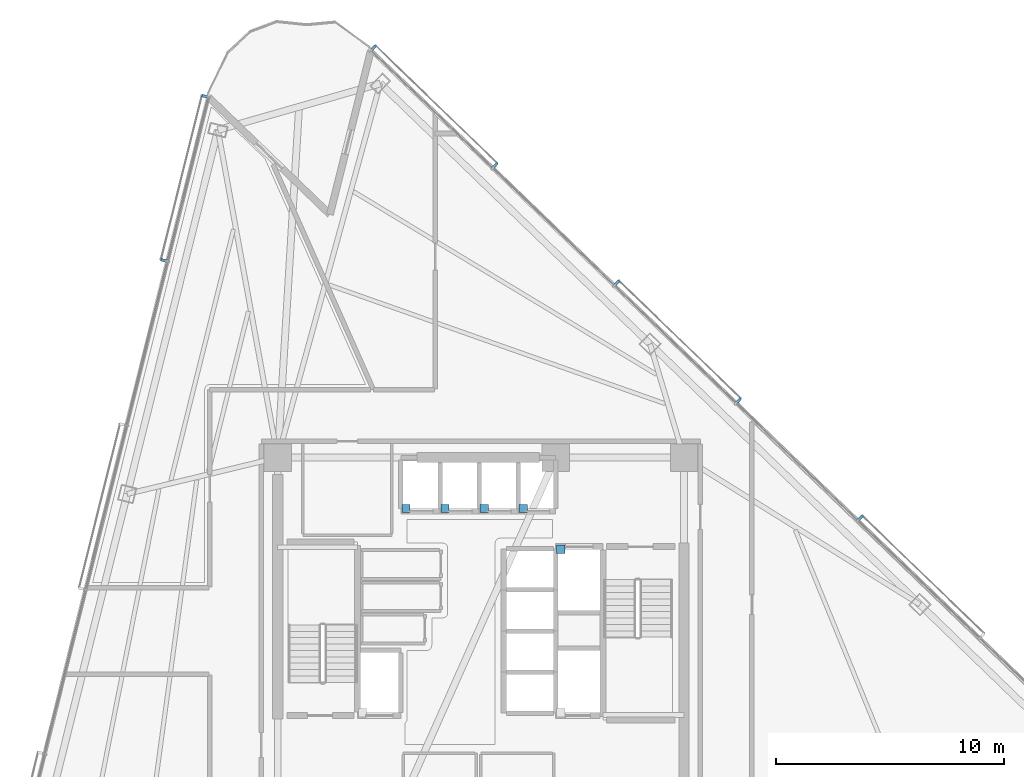
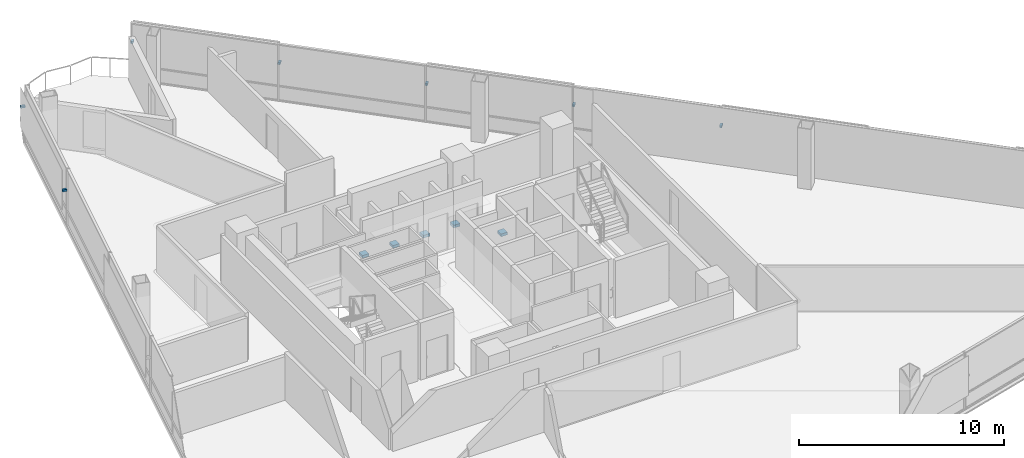
# One storey, part 13 of 16: 12 discrete accessories.
"""IFC4 building model written with IfcOpenShell, lengths in metres."""

from ifc_helpers import new_model, si_unit, direction, frame, origin, origin_2d, place, context, subcontext, project, spatial, rectangle, extrude, material, type_object, element, save


model = new_model("IFC4")

# Units and contexts
model_context = context("Model", 3, precision=1e-05, world=origin(), true_north=direction((0.0, 1.0)))
body_context = subcontext(model_context, "Body", "Model", "MODEL_VIEW")
ifc_project = project(units=[si_unit("LENGTHUNIT", "METRE"), si_unit("AREAUNIT", "SQUARE_METRE"), si_unit("VOLUMEUNIT", "CUBIC_METRE"), si_unit("PLANEANGLEUNIT", "RADIAN"), si_unit("MASSUNIT", "GRAM", prefix="KILO")], contexts=[model_context])

# Site, building, storey
site_placement = place(None, origin())
site = spatial("IfcSite", under=ifc_project, at=site_placement, CompositionType="ELEMENT")
building_placement = place(site_placement, origin())
building = spatial("IfcBuilding", under=site, at=building_placement, Name="Tharavind Bronze Gate", CompositionType="ELEMENT")
storey_placement = place(building_placement, frame((0.0, 0.0, 104.10009765625)))
storey = spatial("IfcBuildingStorey", under=building, at=storey_placement, Name="L26", CompositionType="ELEMENT", Elevation=104.10009765625)

# Discrete accessories
ifc_material_1 = material(Name="Galvanised Steel S355", Category="steel")
discrete_accessory_type_1 = type_object("IfcDiscreteAccessoryType", Name="LIFT GUIDE RAIL BRACKET", PredefinedType="BRACKET", material=ifc_material_1)
for number, where, z_axis, x_axis, name in (
    (1, (-3.280029296875, 5.3701171875, 1.1201171875), (0.0, 0.0, 1.0), (1.0, 0.0, 0.0), "Lift PL5 guide rail bracket at L26"),
    (2, (-1.5673828125, 5.3701171875, 1.1201171875), (0.0, 0.0, 1.0), (1.0, 0.0, 0.0), "Lift PL6 guide rail bracket at L26"),
    (3, (0.14501953125, 5.3701171875, 1.1201171875), (0.0, 0.0, 1.0), (1.0, 0.0, 0.0), "Lift PL7 guide rail bracket at L26"),
    (4, (1.857421875, 5.3701171875, 1.1201171875), (0.0, 0.0, 1.0), (1.0, 0.0, 0.0), "Lift PL8 guide rail bracket at L26"),
    (5, (3.5, 3.580078125, 1.1201171875), (0.0, 0.0, 1.0), (1.0, 0.0, 0.0), "Lift FFL2 guide rail bracket at L26"),
):
    element("IfcDiscreteAccessory", number, at=place(storey_placement, frame(where, z_axis=z_axis, x_axis=x_axis)), inside=storey, type_object=discrete_accessory_type_1, Name=name, PredefinedType="BRACKET", context=body_context, shape_type="SweptSolid", body=[
        extrude(rectangle(XDim=0.360107421875, YDim=0.360107421875, at=origin_2d()), origin(), (0.0, 0.0, 1.0), 0.159912109375),
    ])
ifc_material_2 = material(Name="Stainless Steel 316", Category="steel")
discrete_accessory_type_2 = type_object("IfcDiscreteAccessoryType", Name="SOLAR SCREEN STANDOFF BRACKET", PredefinedType="BRACKET", material=ifc_material_2)
for number, where, z_axis, x_axis, name in (
    (6, (-12.1083984375, 23.437744140625, 2.0947265625), (0.0, 0.0, 1.0), (-0.2419218956, -0.970295726276, 0.0), "CW-L26-S1 solar screen bracket 1.1"),
    (7, (-13.902099609375, 16.243896484375, 2.0947265625), (0.0, 0.0, 1.0), (-0.2419218956, -0.970295726276, 0.0), "CW-L26-S1 solar screen bracket 1.2"),
    (8, (16.637939453125, 4.962158203125, 2.0947265625), (0.0, 0.0, 1.0), (-0.719341012745, 0.694657114973, 0.0), "CW-L26-S3 solar screen bracket 3.2"),
    (9, (11.3046875, 10.1123046875, 2.0947265625), (0.0, 0.0, 1.0), (-0.719341012745, 0.694657114973, 0.0), "CW-L26-S3 solar screen bracket 5.1"),
    (10, (5.97119140625, 15.2626953125, 2.0947265625), (0.0, 0.0, 1.0), (-0.719341012745, 0.694657114973, 0.0), "CW-L26-S3 solar screen bracket 5.2"),
    (11, (0.637939453125, 20.4130859375, 2.0947265625), (0.0, 0.0, 1.0), (-0.719341012745, 0.694657114973, 0.0), "CW-L26-S3 solar screen bracket 7.1"),
    (12, (-4.6953125, 25.5634765625, 2.0947265625), (0.0, 0.0, 1.0), (-0.719341012745, 0.694657114973, 0.0), "CW-L26-S3 solar screen bracket 7.2"),
):
    element("IfcDiscreteAccessory", number, at=place(storey_placement, frame(where, z_axis=z_axis, x_axis=x_axis)), inside=storey, type_object=discrete_accessory_type_2, Name=name, PredefinedType="BRACKET", context=body_context, shape_type="SweptSolid", body=[
        extrude(rectangle(XDim=0.1201171875, YDim=0.239990234375, at=origin_2d()), origin(), (0.0, 0.0, 1.0), 0.1201171875),
    ])

save(model, "model.ifc")
